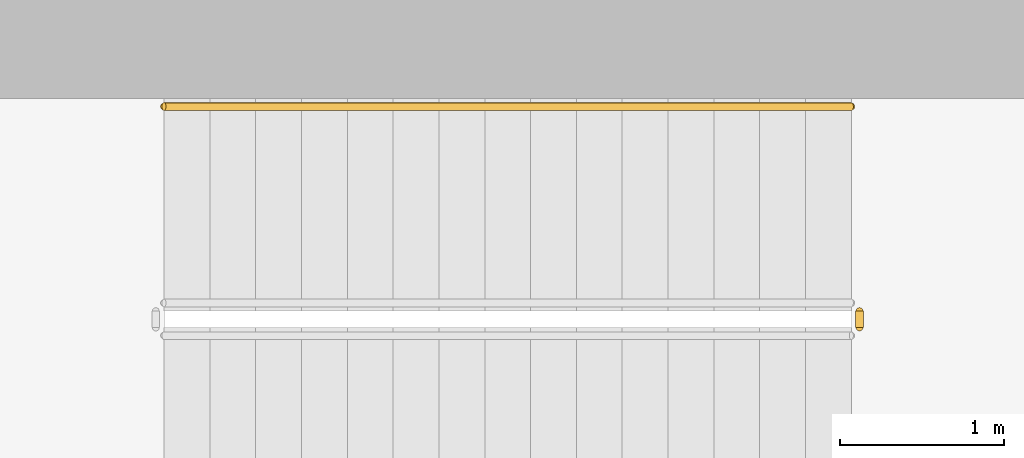
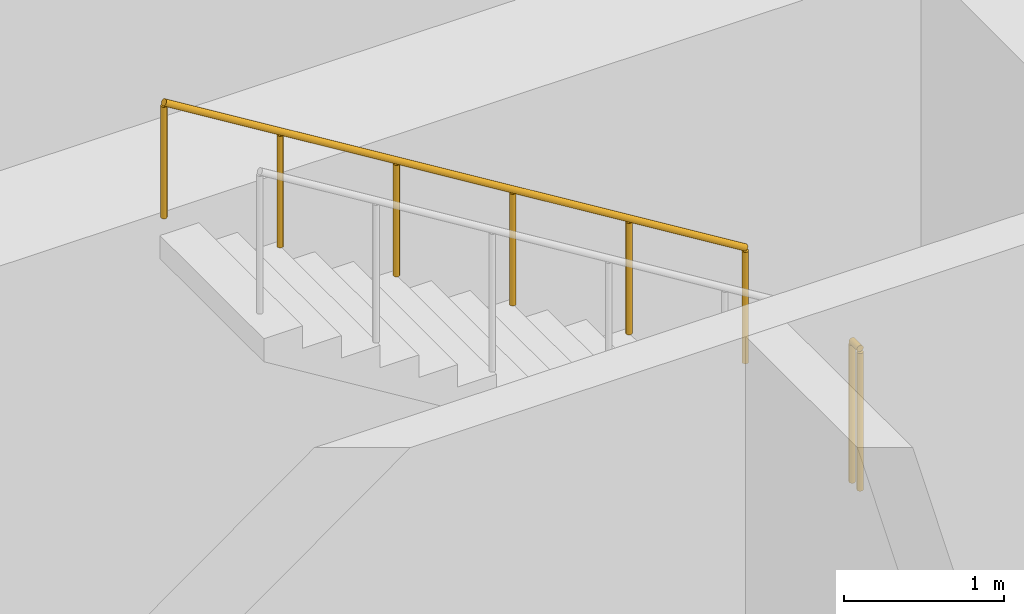
# One storey, part 22 of 31: 2 railings.
"""IFC4 building model written with IfcOpenShell, lengths in metres."""

from ifc_helpers import new_model, si_unit, direction, frame, origin, origin_2d, place, context, subcontext, project, spatial, circle, extrude, material, type_object, element, save


model = new_model("IFC4")

# Units and contexts
model_context = context("Model", 3, precision=1e-05, world=origin(), true_north=direction((0.0, 1.0)))
body_context = subcontext(model_context, "Body", "Model", "MODEL_VIEW")
ifc_project = project(units=[si_unit("LENGTHUNIT", "METRE"), si_unit("AREAUNIT", "SQUARE_METRE"), si_unit("VOLUMEUNIT", "CUBIC_METRE"), si_unit("PLANEANGLEUNIT", "RADIAN"), si_unit("MASSUNIT", "GRAM", prefix="KILO")], contexts=[model_context])

# Site, building, storey
site_placement = place(None, origin())
site = spatial("IfcSite", under=ifc_project, at=site_placement, CompositionType="ELEMENT")
building_placement = place(site_placement, origin())
building = spatial("IfcBuilding", under=site, at=building_placement, Name="Ogive Portal Towers", CompositionType="ELEMENT")
storey_placement = place(building_placement, frame((0.0, 0.0, 8.0)))
storey = spatial("IfcBuildingStorey", under=building, at=storey_placement, Name="L01", CompositionType="ELEMENT", Elevation=8.0)

# Railings
ifc_material_1 = material(Name="Stainless steel balustrade", Category="steel")
railing_type_1 = type_object("IfcRailingType", Name="INT-GUARD", PredefinedType="GUARDRAIL", material=ifc_material_1)
railing_1_placement = place(storey_placement, frame((56.800048828125, 37.64990234375, 2.75)))
element("IfcRailing", 1, at=railing_1_placement, inside=storey, type_object=railing_type_1, Name="L01 ST-A2 stair guard 2", PredefinedType="GUARDRAIL", context=body_context, shape_type="SweptSolid", body=[
    extrude(circle(Radius=0.02392578125, at=origin_2d()), frame((0.0, 0.0, 1.076171875), z_axis=(0.0, 1.0, 0.0), x_axis=(-1.0, 0.0, 0.0)), (0.0, 0.0, 1.0), 0.10009765625),
    extrude(circle(Radius=0.02099609375, at=origin_2d()), origin(), (0.0, 0.0, 1.0), 1.052001953125),
    extrude(circle(Radius=0.02099609375, at=origin_2d()), frame((0.0, 0.10009765625, 0.0)), (0.0, 0.0, 1.0), 1.052001953125),
])
ifc_material_2 = material(Name="Stainless steel handrail", Category="steel")
railing_type_2 = type_object("IfcRailingType", Name="INT-HANDRAIL", PredefinedType="HANDRAIL", material=ifc_material_2)
railing_2_placement = place(storey_placement, frame((56.75, 39.0, 2.921875)))
element("IfcRailing", 2, at=railing_2_placement, inside=storey, type_object=railing_type_2, Name="L01 ST-A2 stair handrail 2", PredefinedType="HANDRAIL", context=body_context, shape_type="SweptSolid", body=[
    extrude(circle(Radius=0.02392578125, at=origin_2d()), frame((0.0, 0.0, 0.8759765625), z_axis=(-0.852242915053, 0.0, 0.523146264196), x_axis=(0.0, -1.0, 0.0)), (0.0, 0.0, 1.0), 4.92822265625),
    extrude(circle(Radius=0.02099609375, at=origin_2d()), origin(), (0.0, 0.0, 1.0), 0.851806640625),
    extrude(circle(Radius=0.02099609375, at=origin_2d()), frame((-0.840087890625, 0.0, 0.515625)), (0.0, 0.0, 1.0), 0.851806640625),
    extrude(circle(Radius=0.02099609375, at=origin_2d()), frame((-1.679931640625, 0.0, 1.03125)), (0.0, 0.0, 1.0), 0.851806640625),
    extrude(circle(Radius=0.02099609375, at=origin_2d()), frame((-2.52001953125, 0.0, 1.546875)), (0.0, 0.0, 1.0), 0.851806640625),
    extrude(circle(Radius=0.02099609375, at=origin_2d()), frame((-3.35986328125, 0.0, 2.0625)), (0.0, 0.0, 1.0), 0.851806640625),
    extrude(circle(Radius=0.02099609375, at=origin_2d()), frame((-4.199951171875, 0.0, 2.578125)), (0.0, 0.0, 1.0), 0.851806640625),
])

save(model, "model.ifc")
